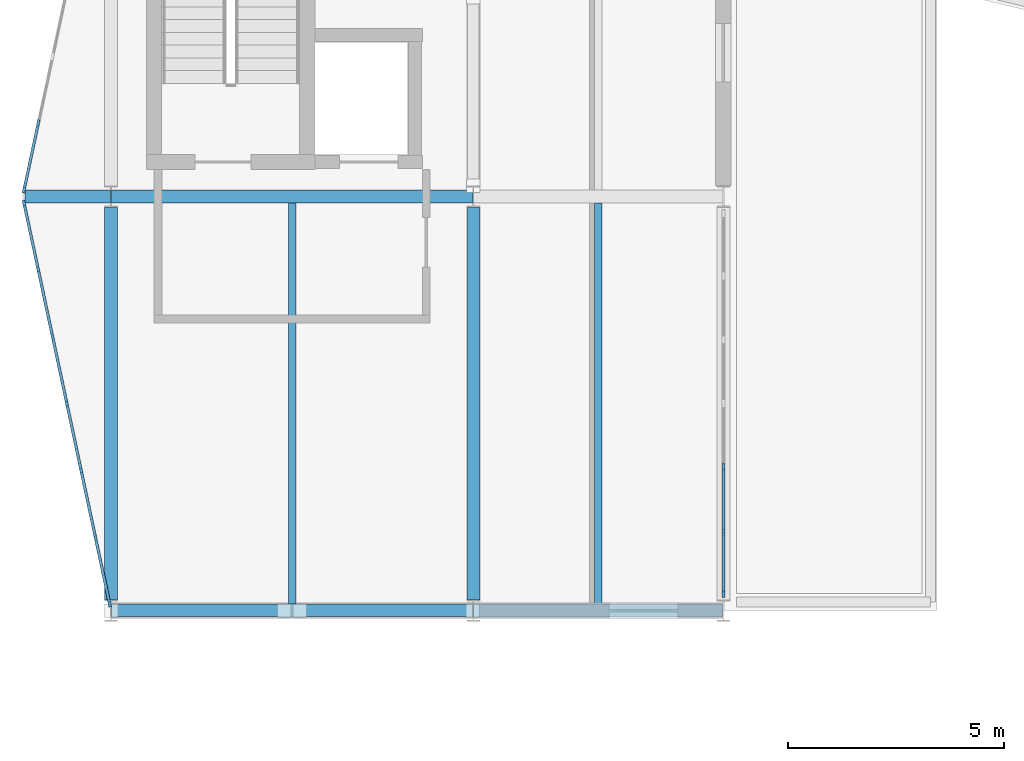
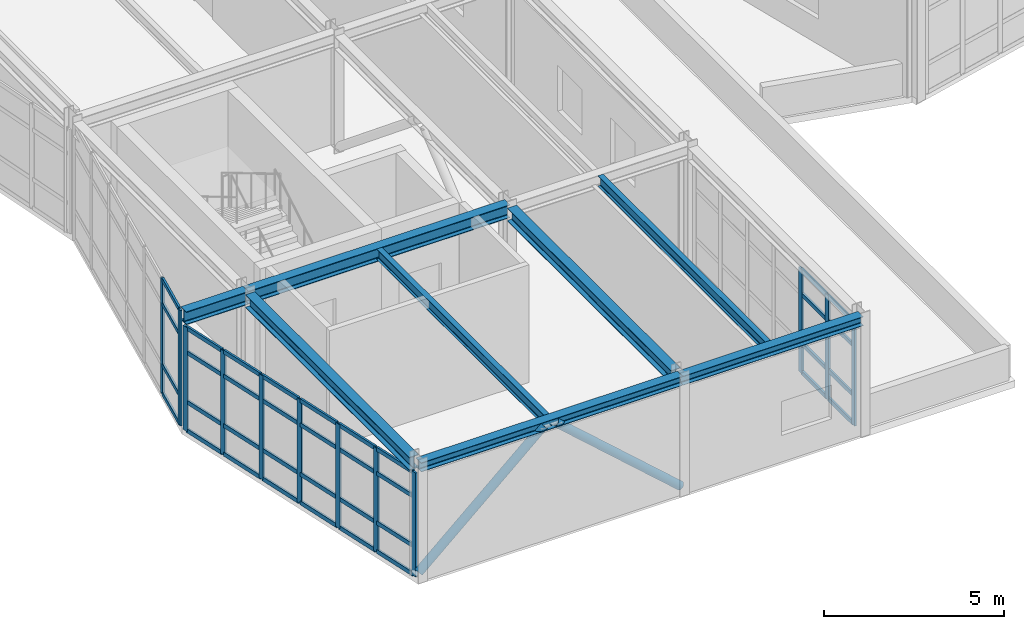
# One storey, part 10 of 64: 50 members, 8 beams, 3 elements without a shape of their own.
"""IFC4 building model written with IfcOpenShell, lengths in metres."""

from ifc_helpers import new_model, si_unit, direction, frame, origin, origin_2d, place, context, subcontext, project, spatial, rectangle, hollow_circle, i_section, extrude, material, layer, layer_set, material_profile, profile_set, type_object, element, aggregate, save


model = new_model("IFC4")

# Units and contexts
model_context = context("Model", 3, precision=1e-05, world=origin(), true_north=direction((0.0, 1.0)))
body_context = subcontext(model_context, "Body", "Model", "MODEL_VIEW")
ifc_project = project(units=[si_unit("LENGTHUNIT", "METRE"), si_unit("AREAUNIT", "SQUARE_METRE"), si_unit("VOLUMEUNIT", "CUBIC_METRE"), si_unit("PLANEANGLEUNIT", "RADIAN"), si_unit("MASSUNIT", "GRAM", prefix="KILO")], contexts=[model_context])

# Site, building, storey
site_placement = place(None, origin())
site = spatial("IfcSite", under=ifc_project, at=site_placement, CompositionType="ELEMENT")
building_placement = place(site_placement, origin())
building = spatial("IfcBuilding", under=site, at=building_placement, Name="Nordkorset Police Headquarters", CompositionType="ELEMENT")
storey_placement = place(building_placement, frame((0.0, 0.0, 17.85009765625)))
storey = spatial("IfcBuildingStorey", under=building, at=storey_placement, Name="L04", CompositionType="ELEMENT", Elevation=17.85009765625)

# Beams
ifc_material_1 = material(Name="Steel S355J2", Category="steel")
ifc_material_profile_1 = material_profile(ifc_material_1, i_section(OverallWidth=0.169921875, OverallDepth=0.360107421875, WebThickness=0.008056640625, FlangeThickness=0.0126953125, FilletRadius=0.01806640625, at=origin_2d()), Name="IPE 360")
ifc_profile_set_1 = profile_set([ifc_material_profile_1], Name="Steel S355J2")
beam_type_1 = type_object("IfcBeamType", Name="Beam_IPE_360", PredefinedType="BEAM", material=ifc_profile_set_1)
for number, where, z_axis, x_axis, name in (
    (1, (4.199951171875, 28.949951171875, 3.809814453125), (0.0, 1.0, 0.0), (-1.0, 0.0, 0.0), "Composite Floor Beam V3 L04 0-0-1"),
    (2, (11.300048828125, 28.949951171875, 3.809814453125), (0.0, 1.0, 0.0), (-1.0, 0.0, 0.0), "Composite Floor Beam V3 L04 1-0-1"),
):
    element("IfcBeam", number, at=place(storey_placement, frame(where, z_axis=z_axis, x_axis=x_axis)), inside=storey, type_object=beam_type_1, Name=name, PredefinedType="BEAM", context=body_context, shape_type="SweptSolid", body=[
        extrude(i_section(OverallWidth=0.169921875, OverallDepth=0.360107421875, WebThickness=0.008056640625, FlangeThickness=0.0126953125, FilletRadius=0.01806640625, at=origin_2d()), origin(), (0.0, 0.0, 1.0), 9.300048828125),
    ])

# Members
ifc_material_2 = material(Name="Steel S355J2", Category="steel")
ifc_material_profile_2 = material_profile(ifc_material_2, hollow_circle(Radius=0.136474609375, WallThickness=0.012451171875, at=origin_2d()), Name="CHS 273x12.5")
ifc_profile_set_2 = profile_set([ifc_material_profile_2], Name="Steel S355J2")
member_type_1 = type_object("IfcMemberType", Name="Brace_CHS_273x12.5", PredefinedType="BRACE", material=ifc_profile_set_2)
for number, where, z_axis, x_axis, name in (
    (3, (0.00732421875, 28.800048828125, 0.199951171875), (0.747110802725, 0.0, 0.664699517415), (0.0, 1.0, 0.0), "Lateral Chevron Brace BF-EXT-V3S L04 D1"),
    (4, (8.392578125, 28.800048828125, 0.199951171875), (-0.747110802725, 0.0, 0.664699517415), (0.0, -1.0, 0.0), "Lateral Chevron Brace BF-EXT-V3S L04 D2"),
):
    element("IfcMember", number, at=place(storey_placement, frame(where, z_axis=z_axis, x_axis=x_axis)), inside=storey, type_object=member_type_1, Name=name, PredefinedType="BRACE", context=body_context, shape_type="SweptSolid", body=[
        extrude(hollow_circle(Radius=0.136474609375, WallThickness=0.012451171875, at=origin_2d()), origin(), (0.0, 0.0, 1.0), 5.370849609375),
    ])

# Curtain wall, members
ifc_material_3 = material(Name="Aluminium alloy AW-6060", Category="aluminium")
ifc_layer_1 = layer(ifc_material_3, 0.179931640625, Name="Aluminium alloy AW-6060")
ifc_layer_set_1 = layer_set([ifc_layer_1], Name="Aluminium alloy AW-6060")
curtain_wall_type_1 = type_object("IfcCurtainWallType", Name="CW_Unit_954x353", PredefinedType="USERDEFINED", material=ifc_layer_set_1)
curtain_wall_1_placement = place(storey_placement, origin())
curtain_wall_1 = element("IfcCurtainWall", 5, at=curtain_wall_1_placement, inside=storey, type_object=curtain_wall_type_1, Name="Unitised Curtain Wall L04 V3W-0", ObjectType="UNITISED CURTAIN WALL", PredefinedType="USERDEFINED")
ifc_material_4 = material(Name="Aluminium alloy AW-6060", Category="aluminium")
ifc_material_profile_3 = material_profile(ifc_material_4, rectangle(XDim=0.06494140625, YDim=0.179931640625, at=origin_2d()), Name="ALU MULL 65x180")
ifc_profile_set_3 = profile_set([ifc_material_profile_3], Name="Aluminium alloy AW-6060")
member_type_2 = type_object("IfcMemberType", Name="CW_Mullion_65x180", PredefinedType="MULLION", material=ifc_profile_set_3)
member_1_placement = place(storey_placement, frame((-0.0361328125, 28.96875, 0.0), z_axis=(0.0, 0.0, 1.0), x_axis=(-0.977951416289, -0.208832534289, 0.0)))
member_1 = element("IfcMember", 6, at=member_1_placement, type_object=member_type_2, Name="CW-09 mullion 1", PredefinedType="MULLION", context=body_context, shape_type="SweptSolid", body=[
    extrude(rectangle(XDim=0.06494140625, YDim=0.179931640625, at=origin_2d()), origin(), (0.0, 0.0, 1.0), 3.52978515625),
])
member_2_placement = place(storey_placement, frame((-0.361083984375, 30.4912109375, 0.0), z_axis=(0.0, 0.0, 1.0), x_axis=(-0.977951416289, -0.208832534289, 0.0)))
member_2 = element("IfcMember", 7, at=member_2_placement, type_object=member_type_2, Name="CW-09 mullion 2", PredefinedType="MULLION", context=body_context, shape_type="SweptSolid", body=[
    extrude(rectangle(XDim=0.06494140625, YDim=0.179931640625, at=origin_2d()), origin(), (0.0, 0.0, 1.0), 3.52978515625),
])
member_3_placement = place(storey_placement, frame((-0.693115234375, 32.045654296875, 0.0), z_axis=(0.0, 0.0, 1.0), x_axis=(-0.977951416289, -0.208832534289, 0.0)))
member_3 = element("IfcMember", 8, at=member_3_placement, type_object=member_type_2, Name="CW-09 mullion 3", PredefinedType="MULLION", context=body_context, shape_type="SweptSolid", body=[
    extrude(rectangle(XDim=0.06494140625, YDim=0.179931640625, at=origin_2d()), origin(), (0.0, 0.0, 1.0), 3.52978515625),
])
member_4_placement = place(storey_placement, frame((-1.02490234375, 33.60009765625, 0.0), z_axis=(0.0, 0.0, 1.0), x_axis=(-0.977951416289, -0.208832534289, 0.0)))
member_4 = element("IfcMember", 9, at=member_4_placement, type_object=member_type_2, Name="CW-09 mullion 4", PredefinedType="MULLION", context=body_context, shape_type="SweptSolid", body=[
    extrude(rectangle(XDim=0.06494140625, YDim=0.179931640625, at=origin_2d()), origin(), (0.0, 0.0, 1.0), 3.52978515625),
])
member_5_placement = place(storey_placement, frame((-1.35693359375, 35.154296875, 0.0), z_axis=(0.0, 0.0, 1.0), x_axis=(-0.977951416289, -0.208832534289, 0.0)))
member_5 = element("IfcMember", 10, at=member_5_placement, type_object=member_type_2, Name="CW-09 mullion 5", PredefinedType="MULLION", context=body_context, shape_type="SweptSolid", body=[
    extrude(rectangle(XDim=0.06494140625, YDim=0.179931640625, at=origin_2d()), origin(), (0.0, 0.0, 1.0), 3.52978515625),
])
member_6_placement = place(storey_placement, frame((-1.688720703125, 36.708740234375, 0.0), z_axis=(0.0, 0.0, 1.0), x_axis=(-0.977951416289, -0.208832534289, 0.0)))
member_6 = element("IfcMember", 11, at=member_6_placement, type_object=member_type_2, Name="CW-09 mullion 6", PredefinedType="MULLION", context=body_context, shape_type="SweptSolid", body=[
    extrude(rectangle(XDim=0.06494140625, YDim=0.179931640625, at=origin_2d()), origin(), (0.0, 0.0, 1.0), 3.52978515625),
])
member_7_placement = place(storey_placement, frame((-2.013916015625, 38.231201171875, 0.0), z_axis=(0.0, 0.0, 1.0), x_axis=(-0.977951416289, -0.208832534289, 0.0)))
member_7 = element("IfcMember", 12, at=member_7_placement, type_object=member_type_2, Name="CW-09 mullion 7", PredefinedType="MULLION", context=body_context, shape_type="SweptSolid", body=[
    extrude(rectangle(XDim=0.06494140625, YDim=0.179931640625, at=origin_2d()), origin(), (0.0, 0.0, 1.0), 3.52978515625),
])

ifc_material_5 = material(Name="Aluminium alloy AW-6060", Category="aluminium")
ifc_layer_2 = layer(ifc_material_5, 0.179931640625, Name="Aluminium alloy AW-6060")
ifc_layer_set_2 = layer_set([ifc_layer_2], Name="Aluminium alloy AW-6060")
curtain_wall_type_2 = type_object("IfcCurtainWallType", Name="CW_Unit_888x353", PredefinedType="USERDEFINED", material=ifc_layer_set_2)
curtain_wall_2_placement = place(storey_placement, origin())
curtain_wall_2 = element("IfcCurtainWall", 13, at=curtain_wall_2_placement, inside=storey, type_object=curtain_wall_type_2, Name="Unitised Curtain Wall L04 V3E-0", ObjectType="UNITISED CURTAIN WALL", PredefinedType="USERDEFINED")
member_8_placement = place(storey_placement, frame((14.199951171875, 29.1923828125, 0.0), z_axis=(0.0, 0.0, 1.0), x_axis=(-1.0, 0.0, 0.0)))
member_8 = element("IfcMember", 14, at=member_8_placement, type_object=member_type_2, Name="CW-52 mullion 1", PredefinedType="MULLION", context=body_context, shape_type="SweptSolid", body=[
    extrude(rectangle(XDim=0.06494140625, YDim=0.179931640625, at=origin_2d()), origin(), (0.0, 0.0, 1.0), 3.52978515625),
])
member_9_placement = place(storey_placement, frame((14.199951171875, 30.639892578125, 0.0), z_axis=(0.0, 0.0, 1.0), x_axis=(-1.0, 0.0, 0.0)))
member_9 = element("IfcMember", 15, at=member_9_placement, type_object=member_type_2, Name="CW-52 mullion 2", PredefinedType="MULLION", context=body_context, shape_type="SweptSolid", body=[
    extrude(rectangle(XDim=0.06494140625, YDim=0.179931640625, at=origin_2d()), origin(), (0.0, 0.0, 1.0), 3.52978515625),
])
member_10_placement = place(storey_placement, frame((14.199951171875, 32.1201171875, 0.0), z_axis=(0.0, 0.0, 1.0), x_axis=(-1.0, 0.0, 0.0)))
member_10 = element("IfcMember", 16, at=member_10_placement, type_object=member_type_2, Name="CW-52 mullion 3", PredefinedType="MULLION", context=body_context, shape_type="SweptSolid", body=[
    extrude(rectangle(XDim=0.06494140625, YDim=0.179931640625, at=origin_2d()), origin(), (0.0, 0.0, 1.0), 3.52978515625),
])

ifc_material_6 = material(Name="Aluminium alloy AW-6060", Category="aluminium")
ifc_layer_3 = layer(ifc_material_6, 0.179931640625, Name="Aluminium alloy AW-6060")
ifc_layer_set_3 = layer_set([ifc_layer_3], Name="Aluminium alloy AW-6060")
curtain_wall_type_3 = type_object("IfcCurtainWallType", Name="CW_Unit_954x392", PredefinedType="USERDEFINED", material=ifc_layer_set_3)
curtain_wall_3_placement = place(storey_placement, origin())
curtain_wall_3 = element("IfcCurtainWall", 17, at=curtain_wall_3_placement, inside=storey, type_object=curtain_wall_type_3, Name="Unitised Curtain Wall L04 V3W-1", ObjectType="UNITISED CURTAIN WALL", PredefinedType="USERDEFINED")
member_11_placement = place(storey_placement, frame((-2.013916015625, 38.568603515625, 0.0), z_axis=(0.0, 0.0, 1.0), x_axis=(-0.977951416289, 0.208832534289, 0.0)))
member_11 = element("IfcMember", 18, at=member_11_placement, type_object=member_type_2, Name="CW-20 mullion 1", PredefinedType="MULLION", context=body_context, shape_type="SweptSolid", body=[
    extrude(rectangle(XDim=0.06494140625, YDim=0.179931640625, at=origin_2d()), origin(), (0.0, 0.0, 1.0), 3.919921875),
])
member_12_placement = place(storey_placement, frame((-1.688720703125, 40.09130859375, 0.0), z_axis=(0.0, 0.0, 1.0), x_axis=(-0.977951416289, 0.208832534289, 0.0)))
member_12 = element("IfcMember", 19, at=member_12_placement, type_object=member_type_2, Name="CW-20 mullion 2", PredefinedType="MULLION", context=body_context, shape_type="SweptSolid", body=[
    extrude(rectangle(XDim=0.06494140625, YDim=0.179931640625, at=origin_2d()), origin(), (0.0, 0.0, 1.0), 3.919921875),
])

# Member
ifc_material_7 = material(Name="Aluminium alloy AW-6060", Category="aluminium")
ifc_material_profile_4 = material_profile(ifc_material_7, rectangle(XDim=0.06494140625, YDim=0.139892578125, at=origin_2d()), Name="ALU TRAN 65x140")
ifc_profile_set_4 = profile_set([ifc_material_profile_4], Name="Aluminium alloy AW-6060")
member_type_3 = type_object("IfcMemberType", Name="CW_Transom_65x140", PredefinedType="USERDEFINED", material=ifc_profile_set_4)
member_13_placement = place(storey_placement, frame((-0.042724609375, 29.00048828125, 0.032470703125), z_axis=(-0.208970278443, 0.977921992148, 0.0), x_axis=(-0.977921992148, -0.208970278443, 0.0)))
member_13 = element("IfcMember", 20, at=member_13_placement, type_object=member_type_3, Name="CW-09 transom 1.1", ObjectType="TRANSOM", PredefinedType="USERDEFINED", context=body_context, shape_type="SweptSolid", body=[
    extrude(rectangle(XDim=0.06494140625, YDim=0.139892578125, at=origin_2d()), origin(), (0.0, 0.0, 1.0), 1.491943359375),
])

member_14_placement = place(storey_placement, frame((-0.042724609375, 29.00048828125, 1.0), z_axis=(-0.208970278443, 0.977921992148, 0.0), x_axis=(-0.977921992148, -0.208970278443, 0.0)))
member_14 = element("IfcMember", 21, at=member_14_placement, type_object=member_type_3, Name="CW-09 transom 1.2", ObjectType="TRANSOM", PredefinedType="USERDEFINED", context=body_context, shape_type="SweptSolid", body=[
    extrude(rectangle(XDim=0.06494140625, YDim=0.139892578125, at=origin_2d()), origin(), (0.0, 0.0, 1.0), 1.491943359375),
])

member_15_placement = place(storey_placement, frame((-0.042724609375, 29.00048828125, 2.679931640625), z_axis=(-0.208970278443, 0.977921992148, 0.0), x_axis=(-0.977921992148, -0.208970278443, 0.0)))
member_15 = element("IfcMember", 22, at=member_15_placement, type_object=member_type_3, Name="CW-09 transom 1.3", ObjectType="TRANSOM", PredefinedType="USERDEFINED", context=body_context, shape_type="SweptSolid", body=[
    extrude(rectangle(XDim=0.06494140625, YDim=0.139892578125, at=origin_2d()), origin(), (0.0, 0.0, 1.0), 1.491943359375),
])

member_16_placement = place(storey_placement, frame((-0.042724609375, 29.00048828125, 3.497314453125), z_axis=(-0.208970278443, 0.977921992148, 0.0), x_axis=(-0.977921992148, -0.208970278443, 0.0)))
member_16 = element("IfcMember", 23, at=member_16_placement, type_object=member_type_3, Name="CW-09 transom 1.4", ObjectType="TRANSOM", PredefinedType="USERDEFINED", context=body_context, shape_type="SweptSolid", body=[
    extrude(rectangle(XDim=0.06494140625, YDim=0.139892578125, at=origin_2d()), origin(), (0.0, 0.0, 1.0), 1.491943359375),
])

member_17_placement = place(storey_placement, frame((-0.367919921875, 30.52294921875, 0.032470703125), z_axis=(-0.208818182896, 0.977954480787, 0.0), x_axis=(-0.977954480787, -0.208818182896, 0.0)))
member_17 = element("IfcMember", 24, at=member_17_placement, type_object=member_type_3, Name="CW-09 transom 2.1", ObjectType="TRANSOM", PredefinedType="USERDEFINED", context=body_context, shape_type="SweptSolid", body=[
    extrude(rectangle(XDim=0.06494140625, YDim=0.139892578125, at=origin_2d()), origin(), (0.0, 0.0, 1.0), 1.524658203125),
])

member_18_placement = place(storey_placement, frame((-0.367919921875, 30.52294921875, 1.0), z_axis=(-0.208818182896, 0.977954480787, 0.0), x_axis=(-0.977954480787, -0.208818182896, 0.0)))
member_18 = element("IfcMember", 25, at=member_18_placement, type_object=member_type_3, Name="CW-09 transom 2.2", ObjectType="TRANSOM", PredefinedType="USERDEFINED", context=body_context, shape_type="SweptSolid", body=[
    extrude(rectangle(XDim=0.06494140625, YDim=0.139892578125, at=origin_2d()), origin(), (0.0, 0.0, 1.0), 1.524658203125),
])

member_19_placement = place(storey_placement, frame((-0.367919921875, 30.52294921875, 2.679931640625), z_axis=(-0.208818182896, 0.977954480787, 0.0), x_axis=(-0.977954480787, -0.208818182896, 0.0)))
member_19 = element("IfcMember", 26, at=member_19_placement, type_object=member_type_3, Name="CW-09 transom 2.3", ObjectType="TRANSOM", PredefinedType="USERDEFINED", context=body_context, shape_type="SweptSolid", body=[
    extrude(rectangle(XDim=0.06494140625, YDim=0.139892578125, at=origin_2d()), origin(), (0.0, 0.0, 1.0), 1.524658203125),
])

member_20_placement = place(storey_placement, frame((-0.367919921875, 30.52294921875, 3.497314453125), z_axis=(-0.208818182896, 0.977954480787, 0.0), x_axis=(-0.977954480787, -0.208818182896, 0.0)))
member_20 = element("IfcMember", 27, at=member_20_placement, type_object=member_type_3, Name="CW-09 transom 2.4", ObjectType="TRANSOM", PredefinedType="USERDEFINED", context=body_context, shape_type="SweptSolid", body=[
    extrude(rectangle(XDim=0.06494140625, YDim=0.139892578125, at=origin_2d()), origin(), (0.0, 0.0, 1.0), 1.524658203125),
])

member_21_placement = place(storey_placement, frame((-0.699951171875, 32.077392578125, 0.032470703125), z_axis=(-0.208850890154, 0.977947496383, 0.0), x_axis=(-0.977947496383, -0.208850890154, 0.0)))
member_21 = element("IfcMember", 28, at=member_21_placement, type_object=member_type_3, Name="CW-09 transom 3.1", ObjectType="TRANSOM", PredefinedType="USERDEFINED", context=body_context, shape_type="SweptSolid", body=[
    extrude(rectangle(XDim=0.06494140625, YDim=0.139892578125, at=origin_2d()), origin(), (0.0, 0.0, 1.0), 1.5244140625),
])

member_22_placement = place(storey_placement, frame((-0.699951171875, 32.077392578125, 1.0), z_axis=(-0.208850890154, 0.977947496383, 0.0), x_axis=(-0.977947496383, -0.208850890154, 0.0)))
member_22 = element("IfcMember", 29, at=member_22_placement, type_object=member_type_3, Name="CW-09 transom 3.2", ObjectType="TRANSOM", PredefinedType="USERDEFINED", context=body_context, shape_type="SweptSolid", body=[
    extrude(rectangle(XDim=0.06494140625, YDim=0.139892578125, at=origin_2d()), origin(), (0.0, 0.0, 1.0), 1.5244140625),
])

member_23_placement = place(storey_placement, frame((-0.699951171875, 32.077392578125, 2.679931640625), z_axis=(-0.208850890154, 0.977947496383, 0.0), x_axis=(-0.977947496383, -0.208850890154, 0.0)))
member_23 = element("IfcMember", 30, at=member_23_placement, type_object=member_type_3, Name="CW-09 transom 3.3", ObjectType="TRANSOM", PredefinedType="USERDEFINED", context=body_context, shape_type="SweptSolid", body=[
    extrude(rectangle(XDim=0.06494140625, YDim=0.139892578125, at=origin_2d()), origin(), (0.0, 0.0, 1.0), 1.5244140625),
])

member_24_placement = place(storey_placement, frame((-0.699951171875, 32.077392578125, 3.497314453125), z_axis=(-0.208850890154, 0.977947496383, 0.0), x_axis=(-0.977947496383, -0.208850890154, 0.0)))
member_24 = element("IfcMember", 31, at=member_24_placement, type_object=member_type_3, Name="CW-09 transom 3.4", ObjectType="TRANSOM", PredefinedType="USERDEFINED", context=body_context, shape_type="SweptSolid", body=[
    extrude(rectangle(XDim=0.06494140625, YDim=0.139892578125, at=origin_2d()), origin(), (0.0, 0.0, 1.0), 1.5244140625),
])

member_25_placement = place(storey_placement, frame((-1.03173828125, 33.6318359375, 0.032470703125), z_axis=(-0.208850890154, 0.977947496383, 0.0), x_axis=(-0.977947496383, -0.208850890154, 0.0)))
member_25 = element("IfcMember", 32, at=member_25_placement, type_object=member_type_3, Name="CW-09 transom 4.1", ObjectType="TRANSOM", PredefinedType="USERDEFINED", context=body_context, shape_type="SweptSolid", body=[
    extrude(rectangle(XDim=0.06494140625, YDim=0.139892578125, at=origin_2d()), origin(), (0.0, 0.0, 1.0), 1.5244140625),
])

member_26_placement = place(storey_placement, frame((-1.03173828125, 33.6318359375, 1.0), z_axis=(-0.208850890154, 0.977947496383, 0.0), x_axis=(-0.977947496383, -0.208850890154, 0.0)))
member_26 = element("IfcMember", 33, at=member_26_placement, type_object=member_type_3, Name="CW-09 transom 4.2", ObjectType="TRANSOM", PredefinedType="USERDEFINED", context=body_context, shape_type="SweptSolid", body=[
    extrude(rectangle(XDim=0.06494140625, YDim=0.139892578125, at=origin_2d()), origin(), (0.0, 0.0, 1.0), 1.5244140625),
])

member_27_placement = place(storey_placement, frame((-1.03173828125, 33.6318359375, 2.679931640625), z_axis=(-0.208850890154, 0.977947496383, 0.0), x_axis=(-0.977947496383, -0.208850890154, 0.0)))
member_27 = element("IfcMember", 34, at=member_27_placement, type_object=member_type_3, Name="CW-09 transom 4.3", ObjectType="TRANSOM", PredefinedType="USERDEFINED", context=body_context, shape_type="SweptSolid", body=[
    extrude(rectangle(XDim=0.06494140625, YDim=0.139892578125, at=origin_2d()), origin(), (0.0, 0.0, 1.0), 1.5244140625),
])

member_28_placement = place(storey_placement, frame((-1.03173828125, 33.6318359375, 3.497314453125), z_axis=(-0.208850890154, 0.977947496383, 0.0), x_axis=(-0.977947496383, -0.208850890154, 0.0)))
member_28 = element("IfcMember", 35, at=member_28_placement, type_object=member_type_3, Name="CW-09 transom 4.4", ObjectType="TRANSOM", PredefinedType="USERDEFINED", context=body_context, shape_type="SweptSolid", body=[
    extrude(rectangle(XDim=0.06494140625, YDim=0.139892578125, at=origin_2d()), origin(), (0.0, 0.0, 1.0), 1.5244140625),
])

member_29_placement = place(storey_placement, frame((-1.36376953125, 35.18603515625, 0.032470703125), z_axis=(-0.208818182896, 0.977954480787, 0.0), x_axis=(-0.977954480787, -0.208818182896, 0.0)))
member_29 = element("IfcMember", 36, at=member_29_placement, type_object=member_type_3, Name="CW-09 transom 5.1", ObjectType="TRANSOM", PredefinedType="USERDEFINED", context=body_context, shape_type="SweptSolid", body=[
    extrude(rectangle(XDim=0.06494140625, YDim=0.139892578125, at=origin_2d()), origin(), (0.0, 0.0, 1.0), 1.524658203125),
])

member_30_placement = place(storey_placement, frame((-1.36376953125, 35.18603515625, 1.0), z_axis=(-0.208818182896, 0.977954480787, 0.0), x_axis=(-0.977954480787, -0.208818182896, 0.0)))
member_30 = element("IfcMember", 37, at=member_30_placement, type_object=member_type_3, Name="CW-09 transom 5.2", ObjectType="TRANSOM", PredefinedType="USERDEFINED", context=body_context, shape_type="SweptSolid", body=[
    extrude(rectangle(XDim=0.06494140625, YDim=0.139892578125, at=origin_2d()), origin(), (0.0, 0.0, 1.0), 1.524658203125),
])

member_31_placement = place(storey_placement, frame((-1.36376953125, 35.18603515625, 2.679931640625), z_axis=(-0.208818182896, 0.977954480787, 0.0), x_axis=(-0.977954480787, -0.208818182896, 0.0)))
member_31 = element("IfcMember", 38, at=member_31_placement, type_object=member_type_3, Name="CW-09 transom 5.3", ObjectType="TRANSOM", PredefinedType="USERDEFINED", context=body_context, shape_type="SweptSolid", body=[
    extrude(rectangle(XDim=0.06494140625, YDim=0.139892578125, at=origin_2d()), origin(), (0.0, 0.0, 1.0), 1.524658203125),
])

member_32_placement = place(storey_placement, frame((-1.36376953125, 35.18603515625, 3.497314453125), z_axis=(-0.208818182896, 0.977954480787, 0.0), x_axis=(-0.977954480787, -0.208818182896, 0.0)))
member_32 = element("IfcMember", 39, at=member_32_placement, type_object=member_type_3, Name="CW-09 transom 5.4", ObjectType="TRANSOM", PredefinedType="USERDEFINED", context=body_context, shape_type="SweptSolid", body=[
    extrude(rectangle(XDim=0.06494140625, YDim=0.139892578125, at=origin_2d()), origin(), (0.0, 0.0, 1.0), 1.524658203125),
])

member_33_placement = place(storey_placement, frame((-1.695556640625, 36.740478515625, 0.032470703125), z_axis=(-0.208813774846, 0.977955422008, 0.0), x_axis=(-0.977955422008, -0.208813774846, 0.0)))
member_33 = element("IfcMember", 40, at=member_33_placement, type_object=member_type_3, Name="CW-09 transom 6.1", ObjectType="TRANSOM", PredefinedType="USERDEFINED", context=body_context, shape_type="SweptSolid", body=[
    extrude(rectangle(XDim=0.06494140625, YDim=0.139892578125, at=origin_2d()), origin(), (0.0, 0.0, 1.0), 1.491943359375),
])

member_34_placement = place(storey_placement, frame((-1.695556640625, 36.740478515625, 1.0), z_axis=(-0.208813774846, 0.977955422008, 0.0), x_axis=(-0.977955422008, -0.208813774846, 0.0)))
member_34 = element("IfcMember", 41, at=member_34_placement, type_object=member_type_3, Name="CW-09 transom 6.2", ObjectType="TRANSOM", PredefinedType="USERDEFINED", context=body_context, shape_type="SweptSolid", body=[
    extrude(rectangle(XDim=0.06494140625, YDim=0.139892578125, at=origin_2d()), origin(), (0.0, 0.0, 1.0), 1.491943359375),
])

member_35_placement = place(storey_placement, frame((-1.695556640625, 36.740478515625, 2.679931640625), z_axis=(-0.208813774846, 0.977955422008, 0.0), x_axis=(-0.977955422008, -0.208813774846, 0.0)))
member_35 = element("IfcMember", 42, at=member_35_placement, type_object=member_type_3, Name="CW-09 transom 6.3", ObjectType="TRANSOM", PredefinedType="USERDEFINED", context=body_context, shape_type="SweptSolid", body=[
    extrude(rectangle(XDim=0.06494140625, YDim=0.139892578125, at=origin_2d()), origin(), (0.0, 0.0, 1.0), 1.491943359375),
])

member_36_placement = place(storey_placement, frame((-1.695556640625, 36.740478515625, 3.497314453125), z_axis=(-0.208813774846, 0.977955422008, 0.0), x_axis=(-0.977955422008, -0.208813774846, 0.0)))
member_36 = element("IfcMember", 43, at=member_36_placement, type_object=member_type_3, Name="CW-09 transom 6.4", ObjectType="TRANSOM", PredefinedType="USERDEFINED", context=body_context, shape_type="SweptSolid", body=[
    extrude(rectangle(XDim=0.06494140625, YDim=0.139892578125, at=origin_2d()), origin(), (0.0, 0.0, 1.0), 1.491943359375),
])

aggregate(curtain_wall_1, [member_1, member_2, member_3, member_4, member_5, member_6, member_7, member_13, member_14, member_15, member_16, member_17, member_18, member_19, member_20, member_21, member_22, member_23, member_24, member_25, member_26, member_27, member_28, member_29, member_30, member_31, member_32, member_33, member_34, member_35, member_36])

member_37_placement = place(storey_placement, frame((14.199951171875, 29.22509765625, 0.032470703125), z_axis=(0.0, 1.0, 0.0), x_axis=(-1.0, 0.0, 0.0)))
member_37 = element("IfcMember", 44, at=member_37_placement, type_object=member_type_3, Name="CW-52 transom 1.1", ObjectType="TRANSOM", PredefinedType="USERDEFINED", context=body_context, shape_type="SweptSolid", body=[
    extrude(rectangle(XDim=0.06494140625, YDim=0.139892578125, at=origin_2d()), origin(), (0.0, 0.0, 1.0), 1.38232421875),
])

member_38_placement = place(storey_placement, frame((14.199951171875, 29.22509765625, 1.0), z_axis=(0.0, 1.0, 0.0), x_axis=(-1.0, 0.0, 0.0)))
member_38 = element("IfcMember", 45, at=member_38_placement, type_object=member_type_3, Name="CW-52 transom 1.2", ObjectType="TRANSOM", PredefinedType="USERDEFINED", context=body_context, shape_type="SweptSolid", body=[
    extrude(rectangle(XDim=0.06494140625, YDim=0.139892578125, at=origin_2d()), origin(), (0.0, 0.0, 1.0), 1.38232421875),
])

member_39_placement = place(storey_placement, frame((14.199951171875, 29.22509765625, 2.679931640625), z_axis=(0.0, 1.0, 0.0), x_axis=(-1.0, 0.0, 0.0)))
member_39 = element("IfcMember", 46, at=member_39_placement, type_object=member_type_3, Name="CW-52 transom 1.3", ObjectType="TRANSOM", PredefinedType="USERDEFINED", context=body_context, shape_type="SweptSolid", body=[
    extrude(rectangle(XDim=0.06494140625, YDim=0.139892578125, at=origin_2d()), origin(), (0.0, 0.0, 1.0), 1.38232421875),
])

member_40_placement = place(storey_placement, frame((14.199951171875, 29.22509765625, 3.497314453125), z_axis=(0.0, 1.0, 0.0), x_axis=(-1.0, 0.0, 0.0)))
member_40 = element("IfcMember", 47, at=member_40_placement, type_object=member_type_3, Name="CW-52 transom 1.4", ObjectType="TRANSOM", PredefinedType="USERDEFINED", context=body_context, shape_type="SweptSolid", body=[
    extrude(rectangle(XDim=0.06494140625, YDim=0.139892578125, at=origin_2d()), origin(), (0.0, 0.0, 1.0), 1.38232421875),
])

member_41_placement = place(storey_placement, frame((14.199951171875, 30.672607421875, 0.032470703125), z_axis=(0.0, 1.0, 0.0), x_axis=(-1.0, 0.0, 0.0)))
member_41 = element("IfcMember", 48, at=member_41_placement, type_object=member_type_3, Name="CW-52 transom 2.1", ObjectType="TRANSOM", PredefinedType="USERDEFINED", context=body_context, shape_type="SweptSolid", body=[
    extrude(rectangle(XDim=0.06494140625, YDim=0.139892578125, at=origin_2d()), origin(), (0.0, 0.0, 1.0), 1.414794921875),
])

member_42_placement = place(storey_placement, frame((14.199951171875, 30.672607421875, 1.0), z_axis=(0.0, 1.0, 0.0), x_axis=(-1.0, 0.0, 0.0)))
member_42 = element("IfcMember", 49, at=member_42_placement, type_object=member_type_3, Name="CW-52 transom 2.2", ObjectType="TRANSOM", PredefinedType="USERDEFINED", context=body_context, shape_type="SweptSolid", body=[
    extrude(rectangle(XDim=0.06494140625, YDim=0.139892578125, at=origin_2d()), origin(), (0.0, 0.0, 1.0), 1.414794921875),
])

member_43_placement = place(storey_placement, frame((14.199951171875, 30.672607421875, 2.679931640625), z_axis=(0.0, 1.0, 0.0), x_axis=(-1.0, 0.0, 0.0)))
member_43 = element("IfcMember", 50, at=member_43_placement, type_object=member_type_3, Name="CW-52 transom 2.3", ObjectType="TRANSOM", PredefinedType="USERDEFINED", context=body_context, shape_type="SweptSolid", body=[
    extrude(rectangle(XDim=0.06494140625, YDim=0.139892578125, at=origin_2d()), origin(), (0.0, 0.0, 1.0), 1.414794921875),
])

member_44_placement = place(storey_placement, frame((14.199951171875, 30.672607421875, 3.497314453125), z_axis=(0.0, 1.0, 0.0), x_axis=(-1.0, 0.0, 0.0)))
member_44 = element("IfcMember", 51, at=member_44_placement, type_object=member_type_3, Name="CW-52 transom 2.4", ObjectType="TRANSOM", PredefinedType="USERDEFINED", context=body_context, shape_type="SweptSolid", body=[
    extrude(rectangle(XDim=0.06494140625, YDim=0.139892578125, at=origin_2d()), origin(), (0.0, 0.0, 1.0), 1.414794921875),
])

aggregate(curtain_wall_2, [member_8, member_9, member_10, member_37, member_38, member_39, member_40, member_41, member_42, member_43, member_44])

member_45_placement = place(storey_placement, frame((-2.007080078125, 38.6005859375, 0.032470703125), z_axis=(0.208813774846, 0.977955422008, 0.0), x_axis=(-0.977955422008, 0.208813774846, 0.0)))
member_45 = element("IfcMember", 52, at=member_45_placement, type_object=member_type_3, Name="CW-20 transom 1.1", ObjectType="TRANSOM", PredefinedType="USERDEFINED", context=body_context, shape_type="SweptSolid", body=[
    extrude(rectangle(XDim=0.06494140625, YDim=0.139892578125, at=origin_2d()), origin(), (0.0, 0.0, 1.0), 1.491943359375),
])

member_46_placement = place(storey_placement, frame((-2.007080078125, 38.6005859375, 1.0), z_axis=(0.208813774846, 0.977955422008, 0.0), x_axis=(-0.977955422008, 0.208813774846, 0.0)))
member_46 = element("IfcMember", 53, at=member_46_placement, type_object=member_type_3, Name="CW-20 transom 1.2", ObjectType="TRANSOM", PredefinedType="USERDEFINED", context=body_context, shape_type="SweptSolid", body=[
    extrude(rectangle(XDim=0.06494140625, YDim=0.139892578125, at=origin_2d()), origin(), (0.0, 0.0, 1.0), 1.491943359375),
])

member_47_placement = place(storey_placement, frame((-2.007080078125, 38.6005859375, 3.06982421875), z_axis=(0.208813774846, 0.977955422008, 0.0), x_axis=(-0.977955422008, 0.208813774846, 0.0)))
member_47 = element("IfcMember", 54, at=member_47_placement, type_object=member_type_3, Name="CW-20 transom 1.3", ObjectType="TRANSOM", PredefinedType="USERDEFINED", context=body_context, shape_type="SweptSolid", body=[
    extrude(rectangle(XDim=0.06494140625, YDim=0.139892578125, at=origin_2d()), origin(), (0.0, 0.0, 1.0), 1.491943359375),
])

member_48_placement = place(storey_placement, frame((-2.007080078125, 38.6005859375, 3.887451171875), z_axis=(0.208813774846, 0.977955422008, 0.0), x_axis=(-0.977955422008, 0.208813774846, 0.0)))
member_48 = element("IfcMember", 55, at=member_48_placement, type_object=member_type_3, Name="CW-20 transom 1.4", ObjectType="TRANSOM", PredefinedType="USERDEFINED", context=body_context, shape_type="SweptSolid", body=[
    extrude(rectangle(XDim=0.06494140625, YDim=0.139892578125, at=origin_2d()), origin(), (0.0, 0.0, 1.0), 1.491943359375),
])

aggregate(curtain_wall_3, [member_11, member_12, member_45, member_46, member_47, member_48])

# Beams
ifc_material_8 = material(Name="Steel S355J2", Category="steel")
ifc_material_profile_5 = material_profile(ifc_material_8, i_section(OverallWidth=0.300048828125, OverallDepth=0.43994140625, WebThickness=0.011474609375, FlangeThickness=0.02099609375, FilletRadius=0.027099609375, at=origin_2d()), Name="HEA 450")
ifc_profile_set_5 = profile_set([ifc_material_profile_5], Name="Steel S355J2")
beam_type_2 = type_object("IfcBeamType", Name="Girder_HEA_450", PredefinedType="USERDEFINED", material=ifc_profile_set_5)
beam_1_placement = place(storey_placement, frame((0.00732421875, 38.39990234375, 3.77001953125), z_axis=(1.0, 0.0, 0.0), x_axis=(0.0, 1.0, 0.0)))
element("IfcBeam", 56, at=beam_1_placement, inside=storey, type_object=beam_type_2, Name="Girder V3 L04 GX-1-0", ObjectType="GIRDER", PredefinedType="USERDEFINED", context=body_context, shape_type="SweptSolid", body=[
    extrude(i_section(OverallWidth=0.300048828125, OverallDepth=0.43994140625, WebThickness=0.011474609375, FlangeThickness=0.02099609375, FilletRadius=0.027099609375, at=origin_2d()), origin(), (0.0, 0.0, 1.0), 8.38525390625),
])
for number, where, z_axis, x_axis, name in (
    (57, (0.0, 29.050048828125, 3.77001953125), (0.0, 1.0, 0.0), (-1.0, 0.0, 0.0), "Girder V3 L04 GY-0-0"),
    (58, (8.39990234375, 29.050048828125, 3.77001953125), (0.0, 1.0, 0.0), (-1.0, 0.0, 0.0), "Girder V3 L04 GY-1-0"),
):
    element("IfcBeam", number, at=place(storey_placement, frame(where, z_axis=z_axis, x_axis=x_axis)), inside=storey, type_object=beam_type_2, Name=name, ObjectType="GIRDER", PredefinedType="USERDEFINED", context=body_context, shape_type="SweptSolid", body=[
        extrude(i_section(OverallWidth=0.300048828125, OverallDepth=0.43994140625, WebThickness=0.011474609375, FlangeThickness=0.02099609375, FilletRadius=0.027099609375, at=origin_2d()), origin(), (0.0, 0.0, 1.0), 9.099853515625),
    ])
beam_2_placement = place(storey_placement, frame((-0.00732421875, 38.39990234375, 3.77001953125), z_axis=(-1.0, 0.0, 0.0), x_axis=(0.0, -1.0, 0.0)))
element("IfcBeam", 59, at=beam_2_placement, inside=storey, type_object=beam_type_2, Name="Sawtooth Facade Outrigger V3 L04 38", ObjectType="GIRDER", PredefinedType="USERDEFINED", context=body_context, shape_type="SweptSolid", body=[
    extrude(i_section(OverallWidth=0.300048828125, OverallDepth=0.43994140625, WebThickness=0.011474609375, FlangeThickness=0.02099609375, FilletRadius=0.027099609375, at=origin_2d()), origin(), (0.0, 0.0, 1.0), 1.982666015625),
])
ifc_material_9 = material(Name="Steel S355J2", Category="steel")
ifc_material_profile_6 = material_profile(ifc_material_9, i_section(OverallWidth=0.300048828125, OverallDepth=0.31005859375, WebThickness=0.009033203125, FlangeThickness=0.015380859375, FilletRadius=0.027099609375, at=origin_2d()), Name="HEA 320")
ifc_profile_set_6 = profile_set([ifc_material_profile_6], Name="Steel S355J2")
beam_type_3 = type_object("IfcBeamType", Name="Spandrel_HEA_320", PredefinedType="SPANDREL", material=ifc_profile_set_6)
beam_3_placement = place(storey_placement, frame((0.00732421875, 28.800048828125, 3.8349609375), z_axis=(1.0, 0.0, 0.0), x_axis=(0.0, 1.0, 0.0)))
element("IfcBeam", 60, at=beam_3_placement, inside=storey, type_object=beam_type_3, Name="Girder V3 L04 GX-0-0", PredefinedType="SPANDREL", context=body_context, shape_type="SweptSolid", body=[
    extrude(i_section(OverallWidth=0.300048828125, OverallDepth=0.31005859375, WebThickness=0.009033203125, FlangeThickness=0.015380859375, FilletRadius=0.027099609375, at=origin_2d()), origin(), (0.0, 0.0, 1.0), 8.38525390625),
])
beam_4_placement = place(storey_placement, frame((8.4072265625, 28.800048828125, 3.8349609375), z_axis=(1.0, 0.0, 0.0), x_axis=(0.0, 1.0, 0.0)))
element("IfcBeam", 61, at=beam_4_placement, inside=storey, type_object=beam_type_3, Name="Girder V3 L04 GX-0-1", PredefinedType="SPANDREL", context=body_context, shape_type="SweptSolid", body=[
    extrude(i_section(OverallWidth=0.300048828125, OverallDepth=0.31005859375, WebThickness=0.009033203125, FlangeThickness=0.015380859375, FilletRadius=0.027099609375, at=origin_2d()), origin(), (0.0, 0.0, 1.0), 5.785400390625),
])

save(model, "model.ifc")
